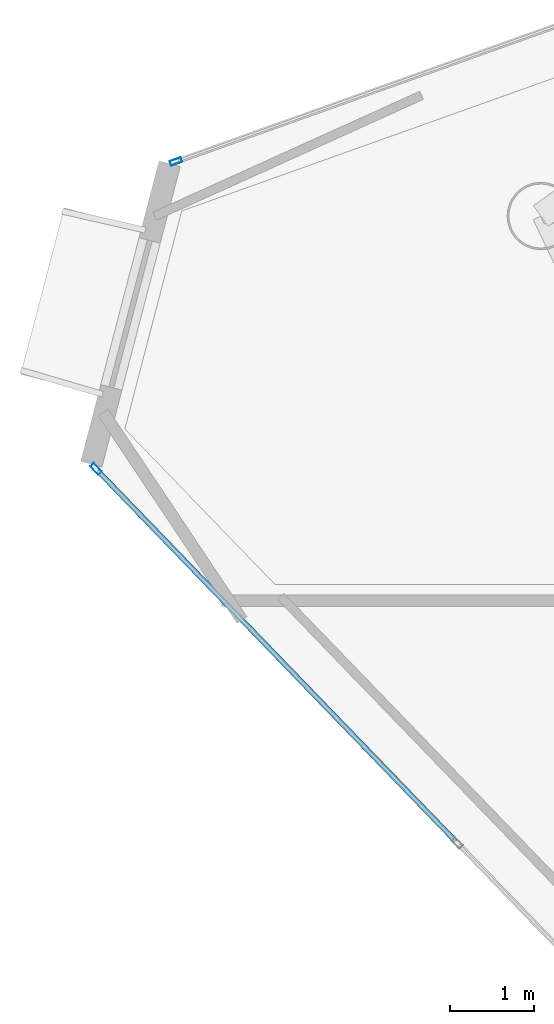
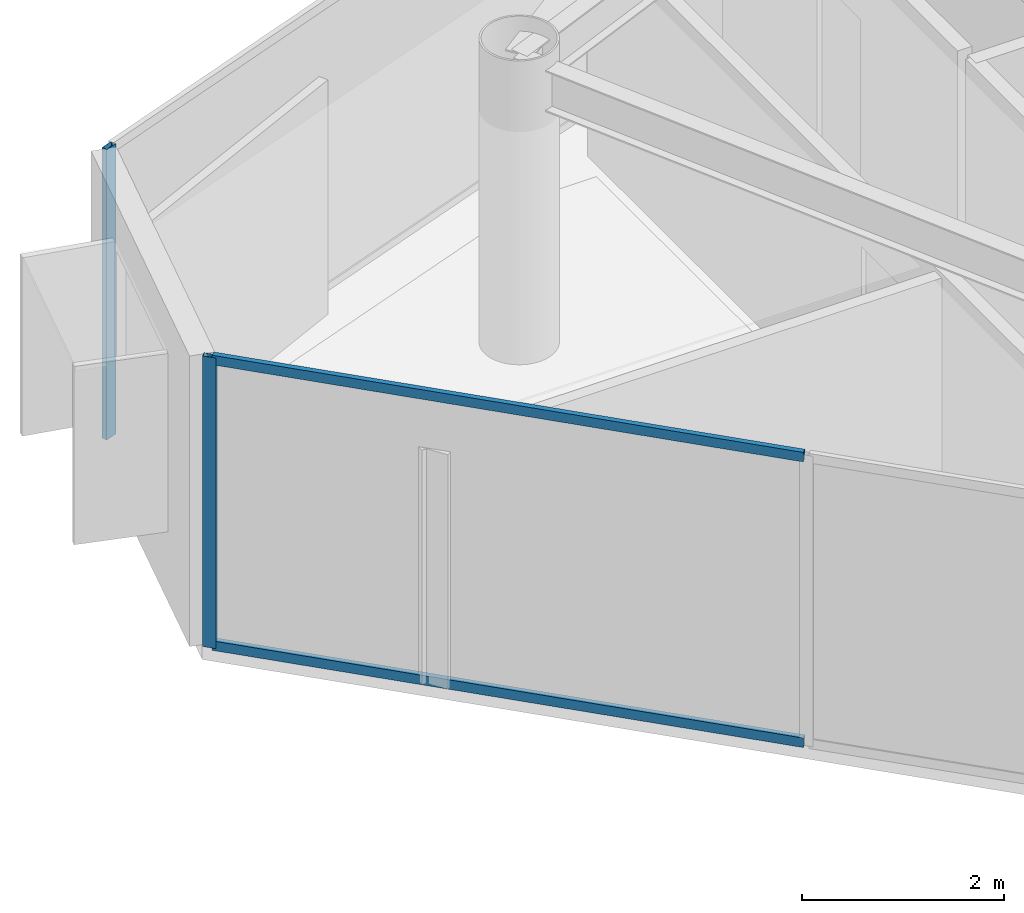
# One storey, part 7 of 18: 4 members, 2 elements without a shape of their own.
"""IFC4 building model written with IfcOpenShell, lengths in metres."""

from ifc_helpers import new_model, si_unit, direction, frame, origin, origin_2d, place, context, subcontext, project, spatial, hollow_rectangle, extrude, material, layer, layer_set, material_profile, profile_set, type_object, element, aggregate, save


model = new_model("IFC4")

# Units and contexts
model_context = context("Model", 3, precision=1e-05, world=origin(), true_north=direction((0.0, 1.0)))
body_context = subcontext(model_context, "Body", "Model", "MODEL_VIEW")
ifc_project = project(units=[si_unit("LENGTHUNIT", "METRE"), si_unit("AREAUNIT", "SQUARE_METRE"), si_unit("VOLUMEUNIT", "CUBIC_METRE"), si_unit("PLANEANGLEUNIT", "RADIAN"), si_unit("MASSUNIT", "GRAM", prefix="KILO")], contexts=[model_context])

# Site, building, storey
site_placement = place(None, origin())
site = spatial("IfcSite", under=ifc_project, at=site_placement, CompositionType="ELEMENT")
building_placement = place(site_placement, origin())
building = spatial("IfcBuilding", under=site, at=building_placement, Name="Qianvela Tower", CompositionType="ELEMENT")
storey_placement = place(building_placement, frame((0.0, 0.0, 337.0)))
storey = spatial("IfcBuildingStorey", under=building, at=storey_placement, Name="L87", CompositionType="ELEMENT", Elevation=337.0)

# Curtain wall, member
ifc_material_1 = material(Name="Anodised Architectural Aluminium and Low-E Glass", Category="aluminium")
ifc_layer = layer(ifc_material_1, 0.14990234375)
ifc_layer_set = layer_set([ifc_layer], Name="Anodised Architectural Aluminium and Low-E Glass")
curtain_wall_type = type_object("IfcCurtainWallType", Name="CW-COLIV-Z78", PredefinedType="USERDEFINED", material=ifc_layer_set)
curtain_wall_1_placement = place(storey_placement, origin())
curtain_wall_1 = element("IfcCurtainWall", 1, at=curtain_wall_1_placement, inside=storey, type_object=curtain_wall_type, Name="L87 CW-COLIV-Z78 Curtain Wall 02C", ObjectType="CURTAIN_WALL_SYSTEM", PredefinedType="USERDEFINED")
ifc_material_2 = material(Name="Anodised Architectural Aluminium 6063-T6", Category="aluminium")
ifc_material_profile_1 = material_profile(ifc_material_2, hollow_rectangle(XDim=0.06005859375, YDim=0.139892578125, WallThickness=0.00439453125, at=origin_2d()), Name="ALU-MULL-60x140")
ifc_profile_set_1 = profile_set([ifc_material_profile_1], Name="Anodised Architectural Aluminium 6063-T6")
member_type_1 = type_object("IfcMemberType", Name="CW-COLIV-Z78-MULL", PredefinedType="MULLION", material=ifc_profile_set_1)
member_1_placement = place(storey_placement, frame((19.07275390625, 30.435546875, 0.0), z_axis=(0.0, 0.0, 1.0), x_axis=(0.336229469105, -0.941780093284, 0.0)))
member_1 = element("IfcMember", 2, at=member_1_placement, type_object=member_type_1, Name="CW-6 mullion 3", PredefinedType="MULLION", context=body_context, shape_type="SweptSolid", body=[
    extrude(hollow_rectangle(XDim=0.06005859375, YDim=0.139892578125, WallThickness=0.00439453125, at=origin_2d()), origin(), (0.0, 0.0, 1.0), 3.52001953125),
])
aggregate(curtain_wall_1, [member_1])

# Curtain wall, members
curtain_wall_2_placement = place(storey_placement, origin())
curtain_wall_2 = element("IfcCurtainWall", 3, at=curtain_wall_2_placement, inside=storey, type_object=curtain_wall_type, Name="L87 CW-COLIV-Z78 Curtain Wall 04A", ObjectType="CURTAIN_WALL_SYSTEM", PredefinedType="USERDEFINED")
member_2_placement = place(storey_placement, frame((18.124267578125, 26.78955078125, 0.0), z_axis=(0.0, 0.0, 1.0), x_axis=(0.719339710572, 0.694658463415, 0.0)))
member_2 = element("IfcMember", 4, at=member_2_placement, type_object=member_type_1, Name="CW-6 mullion 1", PredefinedType="MULLION", context=body_context, shape_type="SweptSolid", body=[
    extrude(hollow_rectangle(XDim=0.06005859375, YDim=0.139892578125, WallThickness=0.00439453125, at=origin_2d()), origin(), (0.0, 0.0, 1.0), 3.52001953125),
])
ifc_material_3 = material(Name="Anodised Architectural Aluminium 6063-T6", Category="aluminium")
ifc_material_profile_2 = material_profile(ifc_material_3, hollow_rectangle(XDim=0.06005859375, YDim=0.114990234375, WallThickness=0.00390625, at=origin_2d()), Name="ALU-TRAN-60x115")
ifc_profile_set_2 = profile_set([ifc_material_profile_2], Name="Anodised Architectural Aluminium 6063-T6")
member_type_2 = type_object("IfcMemberType", Name="CW-COLIV-Z78-TRAN", PredefinedType="USERDEFINED", material=ifc_profile_set_2)
member_3_placement = place(storey_placement, frame((18.145263671875, 26.767822265625, 0.030029296875), z_axis=(0.694661598851, -0.719336682702, 0.0), x_axis=(0.719336682702, 0.694661598851, 0.0)))
member_3 = element("IfcMember", 5, at=member_3_placement, type_object=member_type_2, Name="CW-6 transom 1.1", ObjectType="TRANSOM", PredefinedType="USERDEFINED", context=body_context, shape_type="SweptSolid", body=[
    extrude(hollow_rectangle(XDim=0.06005859375, YDim=0.114990234375, WallThickness=0.00390625, at=origin_2d()), origin(), (0.0, 0.0, 1.0), 6.104736328125),
])
member_4_placement = place(storey_placement, frame((18.145263671875, 26.767822265625, 3.489990234375), z_axis=(0.694661598851, -0.719336682702, 0.0), x_axis=(0.719336682702, 0.694661598851, 0.0)))
member_4 = element("IfcMember", 6, at=member_4_placement, type_object=member_type_2, Name="CW-6 transom 1.2", ObjectType="TRANSOM", PredefinedType="USERDEFINED", context=body_context, shape_type="SweptSolid", body=[
    extrude(hollow_rectangle(XDim=0.06005859375, YDim=0.114990234375, WallThickness=0.00390625, at=origin_2d()), origin(), (0.0, 0.0, 1.0), 6.104736328125),
])
aggregate(curtain_wall_2, [member_2, member_3, member_4])

save(model, "model.ifc")
